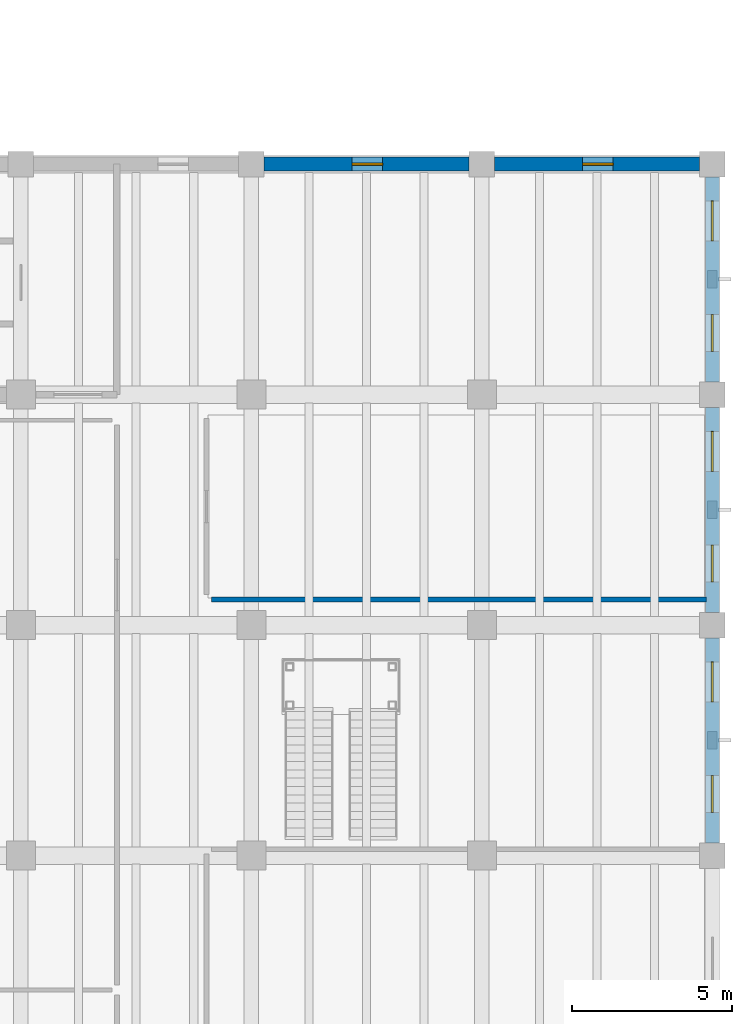
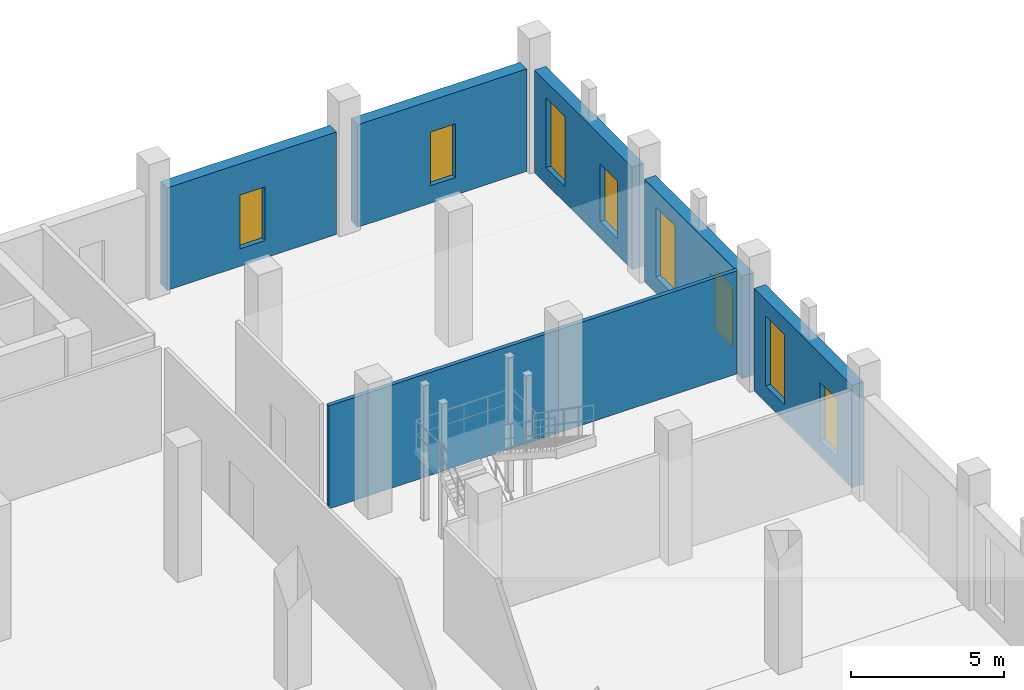
# One storey, part 72 of 79: 8 windows, 6 walls, 8 openings.
"""IFC4 building model written with IfcOpenShell, lengths in metres."""

from ifc_helpers import new_model, si_unit, direction, frame, frame_2d, origin, place, context, subcontext, project, spatial, rectangle, extrude, material, layer, layer_set, type_object, element, fill, save


model = new_model("IFC4")

# Units and contexts
model_context = context("Model", 3, precision=1e-05, world=origin(), true_north=direction((0.0, 1.0)))
body_context = subcontext(model_context, "Body", "Model", "MODEL_VIEW")
ifc_project = project(units=[si_unit("LENGTHUNIT", "METRE"), si_unit("AREAUNIT", "SQUARE_METRE"), si_unit("VOLUMEUNIT", "CUBIC_METRE"), si_unit("PLANEANGLEUNIT", "RADIAN"), si_unit("MASSUNIT", "GRAM", prefix="KILO")], contexts=[model_context])

# Site, building, storey
site_placement = place(None, origin())
site = spatial("IfcSite", under=ifc_project, at=site_placement, CompositionType="ELEMENT")
building_placement = place(site_placement, origin())
building = spatial("IfcBuilding", under=site, at=building_placement, Name="Qiaolan Assembly House", CompositionType="ELEMENT")
storey_placement = place(building_placement, origin())
storey = spatial("IfcBuildingStorey", under=building, at=storey_placement, Name="L00", CompositionType="ELEMENT", Elevation=0.0)

# Wall, openings, windows
ifc_material_1 = material(Name="Honed pale limestone", Category="masonry")
ifc_layer_1 = layer(ifc_material_1, 0.43505859375)
ifc_layer_set_1 = layer_set([ifc_layer_1], Name="Honed pale limestone")
wall_type_1 = type_object("IfcWallType", Name="WAL-EXT-RUSTIC-420", PredefinedType="SOLIDWALL", material=ifc_layer_set_1)
wall_1_placement = place(storey_placement, frame((172.800048828125, 71.60205078125, 0.0), z_axis=(0.0, 0.0, 1.0), x_axis=(0.0, -1.0, 0.0)))
wall_1 = element("IfcWall", 1, at=wall_1_placement, inside=storey, type_object=wall_type_1, Name="Library East avenue wall L00-6", PredefinedType="SOLIDWALL", context=body_context, shape_type="SweptSolid", body=[
    extrude(rectangle(XDim=6.404052734375, YDim=0.43505859375, at=frame_2d((3.2021484375, 0.0))), origin(), (0.0, 0.0, 1.0), 4.10009765625),
])
opening_1_placement = place(wall_1_placement, frame((0.751953125, 0.0, 0.64990234375)))
opening_1 = element("IfcOpeningElement", 2, at=opening_1_placement, cuts=wall_1, Name="Opening WN-410", PredefinedType="OPENING", context=body_context, shape_type="SweptSolid", body=[
    extrude(rectangle(XDim=1.25, YDim=2.800048828125, at=frame_2d((0.625, 1.39990234375))), frame((0.0, 0.2275390625, 0.0), z_axis=(0.0, -1.0, 0.0), x_axis=(1.0, 0.0, 0.0)), (0.0, 0.0, 1.0), 0.455078125),
])
opening_2_placement = place(wall_1_placement, frame((4.302001953125, 0.0, 0.64990234375)))
opening_2 = element("IfcOpeningElement", 3, at=opening_2_placement, cuts=wall_1, Name="Opening WN-411", PredefinedType="OPENING", context=body_context, shape_type="SweptSolid", body=[
    extrude(rectangle(XDim=1.14990234375, YDim=2.300048828125, at=frame_2d((0.574951171875, 1.14990234375))), frame((0.0, 0.2275390625, 0.0), z_axis=(0.0, -1.0, 0.0), x_axis=(1.0, 0.0, 0.0)), (0.0, 0.0, 1.0), 0.455078125),
])
ifc_material_2 = material(Name="Low-E double insulating glass", Category="glass")
window_type_1 = type_object("IfcWindowType", Name="WIN-LIB-1250x2800", PartitioningType="DOUBLE_PANEL_VERTICAL", PredefinedType="WINDOW", material=ifc_material_2)
window_1_placement = place(opening_1_placement, origin())
window_1 = element("IfcWindow", 4, at=window_1_placement, inside=storey, type_object=window_type_1, Name="Library reading window WN-410", OverallHeight=2.800048828125, OverallWidth=1.25, PartitioningType="DOUBLE_PANEL_VERTICAL", PredefinedType="WINDOW", context=body_context, shape_type="SweptSolid", body=[
    extrude(rectangle(XDim=1.25, YDim=2.800048828125, at=frame_2d((0.625, 1.39990234375))), frame((0.0, 0.030029296875, 0.0), z_axis=(0.0, -1.0, 0.0), x_axis=(1.0, 0.0, 0.0)), (0.0, 0.0, 1.0), 0.06005859375),
])
fill(opening_1, window_1)
window_type_2 = type_object("IfcWindowType", Name="WIN-LIB-CARREL-1150x2300", PartitioningType="SINGLE_PANEL", PredefinedType="WINDOW", material=ifc_material_2)
window_2_placement = place(opening_2_placement, origin())
window_2 = element("IfcWindow", 5, at=window_2_placement, inside=storey, type_object=window_type_2, Name="Library reading window WN-411", OverallHeight=2.300048828125, OverallWidth=1.14990234375, PartitioningType="SINGLE_PANEL", PredefinedType="WINDOW", context=body_context, shape_type="SweptSolid", body=[
    extrude(rectangle(XDim=1.14990234375, YDim=2.300048828125, at=frame_2d((0.574951171875, 1.14990234375))), frame((0.0, 0.030029296875, 0.0), z_axis=(0.0, -1.0, 0.0), x_axis=(1.0, 0.0, 0.0)), (0.0, 0.0, 1.0), 0.06005859375),
])
fill(opening_2, window_2)

wall_2_placement = place(storey_placement, frame((172.800048828125, 78.802001953125, 0.0), z_axis=(0.0, 0.0, 1.0), x_axis=(0.0, -1.0, 0.0)))
wall_2 = element("IfcWall", 6, at=wall_2_placement, inside=storey, type_object=wall_type_1, Name="Library East avenue wall L00-7", PredefinedType="SOLIDWALL", context=body_context, shape_type="SweptSolid", body=[
    extrude(rectangle(XDim=6.404052734375, YDim=0.43505859375, at=frame_2d((3.2021484375, 0.0))), origin(), (0.0, 0.0, 1.0), 4.10009765625),
])
opening_3_placement = place(wall_2_placement, frame((0.751953125, 0.0, 0.64990234375)))
opening_3 = element("IfcOpeningElement", 7, at=opening_3_placement, cuts=wall_2, Name="Opening WN-413", PredefinedType="OPENING", context=body_context, shape_type="SweptSolid", body=[
    extrude(rectangle(XDim=1.25, YDim=2.800048828125, at=frame_2d((0.625, 1.39990234375))), frame((0.0, 0.2275390625, 0.0), z_axis=(0.0, -1.0, 0.0), x_axis=(1.0, 0.0, 0.0)), (0.0, 0.0, 1.0), 0.455078125),
])
opening_4_placement = place(wall_2_placement, frame((4.302001953125, 0.0, 0.64990234375)))
opening_4 = element("IfcOpeningElement", 8, at=opening_4_placement, cuts=wall_2, Name="Opening WN-414", PredefinedType="OPENING", context=body_context, shape_type="SweptSolid", body=[
    extrude(rectangle(XDim=1.14990234375, YDim=2.300048828125, at=frame_2d((0.574951171875, 1.14990234375))), frame((0.0, 0.2275390625, 0.0), z_axis=(0.0, -1.0, 0.0), x_axis=(1.0, 0.0, 0.0)), (0.0, 0.0, 1.0), 0.455078125),
])
window_3_placement = place(opening_3_placement, origin())
window_3 = element("IfcWindow", 9, at=window_3_placement, inside=storey, type_object=window_type_1, Name="Library reading window WN-413", OverallHeight=2.800048828125, OverallWidth=1.25, PartitioningType="DOUBLE_PANEL_VERTICAL", PredefinedType="WINDOW", context=body_context, shape_type="SweptSolid", body=[
    extrude(rectangle(XDim=1.25, YDim=2.800048828125, at=frame_2d((0.625, 1.39990234375))), frame((0.0, 0.030029296875, 0.0), z_axis=(0.0, -1.0, 0.0), x_axis=(1.0, 0.0, 0.0)), (0.0, 0.0, 1.0), 0.06005859375),
])
fill(opening_3, window_3)
window_4_placement = place(opening_4_placement, origin())
window_4 = element("IfcWindow", 10, at=window_4_placement, inside=storey, type_object=window_type_2, Name="Library reading window WN-414", OverallHeight=2.300048828125, OverallWidth=1.14990234375, PartitioningType="SINGLE_PANEL", PredefinedType="WINDOW", context=body_context, shape_type="SweptSolid", body=[
    extrude(rectangle(XDim=1.14990234375, YDim=2.300048828125, at=frame_2d((0.574951171875, 1.14990234375))), frame((0.0, 0.030029296875, 0.0), z_axis=(0.0, -1.0, 0.0), x_axis=(1.0, 0.0, 0.0)), (0.0, 0.0, 1.0), 0.06005859375),
])
fill(opening_4, window_4)

wall_3_placement = place(storey_placement, frame((172.800048828125, 86.001953125, 0.0), z_axis=(0.0, 0.0, 1.0), x_axis=(0.0, -1.0, 0.0)))
wall_3 = element("IfcWall", 11, at=wall_3_placement, inside=storey, type_object=wall_type_1, Name="Library East avenue wall L00-8", PredefinedType="SOLIDWALL", context=body_context, shape_type="SweptSolid", body=[
    extrude(rectangle(XDim=6.404052734375, YDim=0.43505859375, at=frame_2d((3.2021484375, 0.0))), origin(), (0.0, 0.0, 1.0), 4.10009765625),
])
opening_5_placement = place(wall_3_placement, frame((0.751953125, 0.0, 0.64990234375)))
opening_5 = element("IfcOpeningElement", 12, at=opening_5_placement, cuts=wall_3, Name="Opening WN-416", PredefinedType="OPENING", context=body_context, shape_type="SweptSolid", body=[
    extrude(rectangle(XDim=1.25, YDim=2.800048828125, at=frame_2d((0.625, 1.39990234375))), frame((0.0, 0.2275390625, 0.0), z_axis=(0.0, -1.0, 0.0), x_axis=(1.0, 0.0, 0.0)), (0.0, 0.0, 1.0), 0.455078125),
])
opening_6_placement = place(wall_3_placement, frame((4.302001953125, 0.0, 0.64990234375)))
opening_6 = element("IfcOpeningElement", 13, at=opening_6_placement, cuts=wall_3, Name="Opening WN-417", PredefinedType="OPENING", context=body_context, shape_type="SweptSolid", body=[
    extrude(rectangle(XDim=1.14990234375, YDim=2.300048828125, at=frame_2d((0.574951171875, 1.14990234375))), frame((0.0, 0.2275390625, 0.0), z_axis=(0.0, -1.0, 0.0), x_axis=(1.0, 0.0, 0.0)), (0.0, 0.0, 1.0), 0.455078125),
])
window_5_placement = place(opening_5_placement, origin())
window_5 = element("IfcWindow", 14, at=window_5_placement, inside=storey, type_object=window_type_1, Name="Library reading window WN-416", OverallHeight=2.800048828125, OverallWidth=1.25, PartitioningType="DOUBLE_PANEL_VERTICAL", PredefinedType="WINDOW", context=body_context, shape_type="SweptSolid", body=[
    extrude(rectangle(XDim=1.25, YDim=2.800048828125, at=frame_2d((0.625, 1.39990234375))), frame((0.0, 0.030029296875, 0.0), z_axis=(0.0, -1.0, 0.0), x_axis=(1.0, 0.0, 0.0)), (0.0, 0.0, 1.0), 0.06005859375),
])
fill(opening_5, window_5)
window_6_placement = place(opening_6_placement, origin())
window_6 = element("IfcWindow", 15, at=window_6_placement, inside=storey, type_object=window_type_2, Name="Library reading window WN-417", OverallHeight=2.300048828125, OverallWidth=1.14990234375, PartitioningType="SINGLE_PANEL", PredefinedType="WINDOW", context=body_context, shape_type="SweptSolid", body=[
    extrude(rectangle(XDim=1.14990234375, YDim=2.300048828125, at=frame_2d((0.574951171875, 1.14990234375))), frame((0.0, 0.030029296875, 0.0), z_axis=(0.0, -1.0, 0.0), x_axis=(1.0, 0.0, 0.0)), (0.0, 0.0, 1.0), 0.06005859375),
])
fill(opening_6, window_6)

# Wall, opening, window
wall_4_placement = place(storey_placement, frame((165.201904296875, 86.39990234375, 0.0), z_axis=(0.0, 0.0, 1.0), x_axis=(-1.0, 0.0, 0.0)))
wall_4 = element("IfcWall", 16, at=wall_4_placement, inside=storey, type_object=wall_type_1, Name="Library North wall L00-4", PredefinedType="SOLIDWALL", context=body_context, shape_type="SweptSolid", body=[
    extrude(rectangle(XDim=6.40380859375, YDim=0.43505859375, at=frame_2d((3.201904296875, 0.0))), origin(), (0.0, 0.0, 1.0), 4.10009765625),
])
opening_7_placement = place(wall_4_placement, frame((2.701904296875, 0.0, 0.699951171875)))
opening_7 = element("IfcOpeningElement", 17, at=opening_7_placement, cuts=wall_4, Name="Opening WN-423", PredefinedType="OPENING", context=body_context, shape_type="SweptSolid", body=[
    extrude(rectangle(XDim=0.949951171875, YDim=2.14990234375, at=frame_2d((0.47509765625, 1.074951171875))), frame((0.0, 0.2275390625, 0.0), z_axis=(0.0, -1.0, 0.0), x_axis=(1.0, 0.0, 0.0)), (0.0, 0.0, 1.0), 0.455078125),
])
window_type_3 = type_object("IfcWindowType", Name="WIN-PUNCH-950x2150", PartitioningType="SINGLE_PANEL", PredefinedType="WINDOW", material=ifc_material_2)
window_7_placement = place(opening_7_placement, origin())
window_7 = element("IfcWindow", 18, at=window_7_placement, inside=storey, type_object=window_type_3, Name="Library North window WN-423", OverallHeight=2.14990234375, OverallWidth=0.949951171875, PartitioningType="SINGLE_PANEL", PredefinedType="WINDOW", context=body_context, shape_type="SweptSolid", body=[
    extrude(rectangle(XDim=0.949951171875, YDim=2.14990234375, at=frame_2d((0.47509765625, 1.074951171875))), frame((0.0, 0.030029296875, 0.0), z_axis=(0.0, -1.0, 0.0), x_axis=(1.0, 0.0, 0.0)), (0.0, 0.0, 1.0), 0.06005859375),
])
fill(opening_7, window_7)

wall_5_placement = place(storey_placement, frame((172.402099609375, 86.39990234375, 0.0), z_axis=(0.0, 0.0, 1.0), x_axis=(-1.0, 0.0, 0.0)))
wall_5 = element("IfcWall", 19, at=wall_5_placement, inside=storey, type_object=wall_type_1, Name="Library North wall L00-5", PredefinedType="SOLIDWALL", context=body_context, shape_type="SweptSolid", body=[
    extrude(rectangle(XDim=6.404052734375, YDim=0.43505859375, at=frame_2d((3.2021484375, 0.0))), origin(), (0.0, 0.0, 1.0), 4.10009765625),
])
opening_8_placement = place(wall_5_placement, frame((2.701904296875, 0.0, 0.699951171875)))
opening_8 = element("IfcOpeningElement", 20, at=opening_8_placement, cuts=wall_5, Name="Opening WN-425", PredefinedType="OPENING", context=body_context, shape_type="SweptSolid", body=[
    extrude(rectangle(XDim=0.949951171875, YDim=2.14990234375, at=frame_2d((0.47509765625, 1.074951171875))), frame((0.0, 0.2275390625, 0.0), z_axis=(0.0, -1.0, 0.0), x_axis=(1.0, 0.0, 0.0)), (0.0, 0.0, 1.0), 0.455078125),
])
window_8_placement = place(opening_8_placement, origin())
window_8 = element("IfcWindow", 21, at=window_8_placement, inside=storey, type_object=window_type_3, Name="Library North window WN-425", OverallHeight=2.14990234375, OverallWidth=0.949951171875, PartitioningType="SINGLE_PANEL", PredefinedType="WINDOW", context=body_context, shape_type="SweptSolid", body=[
    extrude(rectangle(XDim=0.949951171875, YDim=2.14990234375, at=frame_2d((0.47509765625, 1.074951171875))), frame((0.0, 0.030029296875, 0.0), z_axis=(0.0, -1.0, 0.0), x_axis=(1.0, 0.0, 0.0)), (0.0, 0.0, 1.0), 0.06005859375),
])
fill(opening_8, window_8)

# Wall
ifc_material_3 = material(Name="Gypsum plasterboard partition")
ifc_layer_2 = layer(ifc_material_3, 0.14990234375)
ifc_layer_set_2 = layer_set([ifc_layer_2], Name="Gypsum plasterboard partition")
wall_type_2 = type_object("IfcWallType", Name="WAL-PART-150", PredefinedType="PARTITIONING", material=ifc_layer_set_2)
wall_6_placement = place(storey_placement, frame((157.14990234375, 72.800048828125, 0.0), z_axis=(0.0, 0.0, 1.0), x_axis=(1.0, 0.0, 0.0)))
element("IfcWall", 22, at=wall_6_placement, inside=storey, type_object=wall_type_2, Name="Reading well north wall", PredefinedType="PARTITIONING", context=body_context, shape_type="SweptSolid", body=[
    extrude(rectangle(XDim=15.47021484375, YDim=0.14990234375, at=frame_2d((7.735107421875, 0.0))), origin(), (0.0, 0.0, 1.0), 4.1201171875),
])

save(model, "model.ifc")
